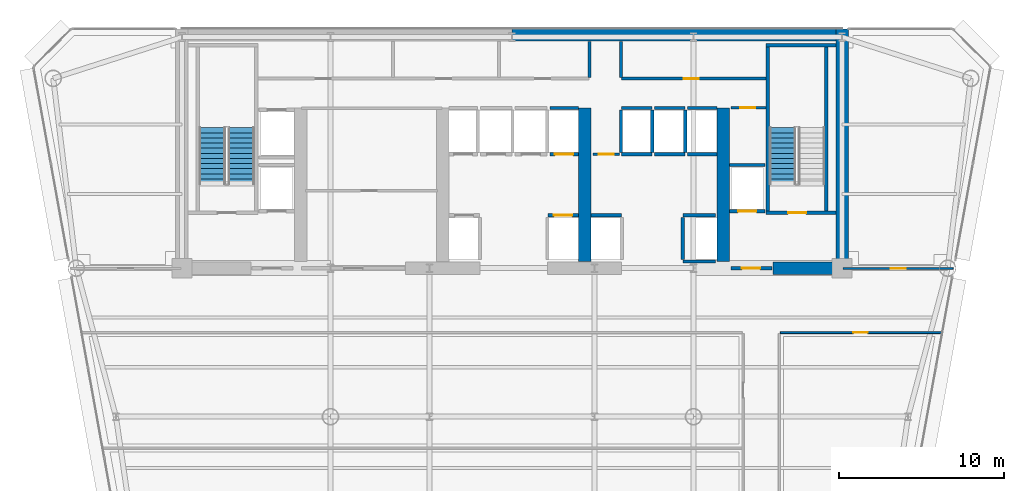
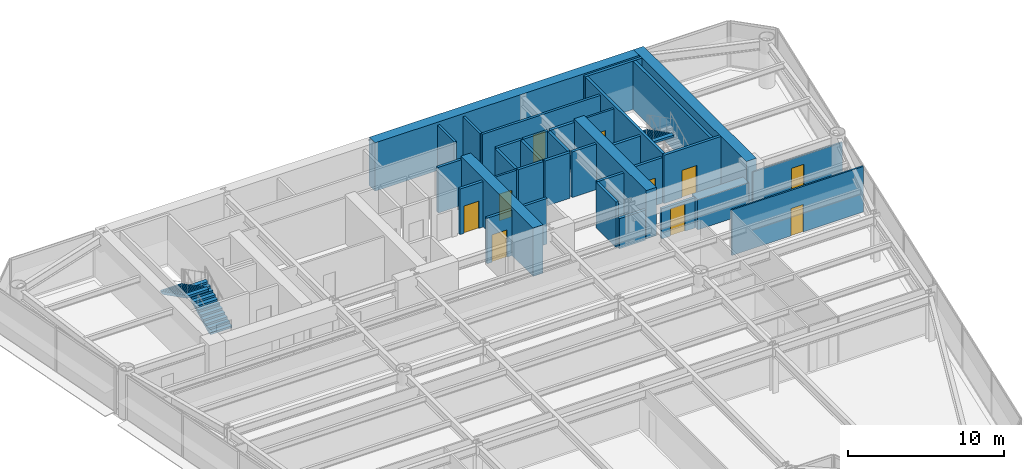
# One storey, part 9 of 14: 35 walls, 10 doors, 3 stair flights, 10 openings, 2 elements without a shape of their own.
"""IFC4 building model written with IfcOpenShell, lengths in metres."""

from ifc_helpers import new_model, si_unit, direction, frame, frame_2d, origin, place, context, subcontext, project, spatial, polyline, rectangle, outline, extrude, source, transform, mapped, material, layer, layer_set, type_object, element, fill, aggregate, save


model = new_model("IFC4")

# Units and contexts
model_context = context("Model", 3, precision=1e-05, world=origin(), true_north=direction((0.0, 1.0)))
body_context = subcontext(model_context, "Body", "Model", "MODEL_VIEW")
ifc_project = project(units=[si_unit("LENGTHUNIT", "METRE"), si_unit("AREAUNIT", "SQUARE_METRE"), si_unit("VOLUMEUNIT", "CUBIC_METRE"), si_unit("PLANEANGLEUNIT", "RADIAN"), si_unit("MASSUNIT", "GRAM", prefix="KILO")], contexts=[model_context])

# Site, building, storey
site_placement = place(None, origin())
site = spatial("IfcSite", under=ifc_project, at=site_placement, CompositionType="ELEMENT")
building_placement = place(site_placement, origin())
building = spatial("IfcBuilding", under=site, at=building_placement, Name="Vaeldorn Concourse Tower", CompositionType="ELEMENT")
storey_placement = place(building_placement, frame((0.0, 0.0, 133.800048828125)))
storey = spatial("IfcBuildingStorey", under=building, at=storey_placement, Name="L34", CompositionType="ELEMENT", Elevation=133.800048828125)

# Walls
ifc_material_1 = material(Name="Concrete C60/75", Category="concrete")
ifc_layer_1 = layer(ifc_material_1, 0.75)
ifc_layer_set_1 = layer_set([ifc_layer_1], Name="Concrete C60/75")
wall_type_1 = type_object("IfcWallType", Name="WL-CORE-750", PredefinedType="SHEAR", material=ifc_layer_set_1)
wall_1_placement = place(storey_placement, frame((34.001953125, 50.625, 0.0), z_axis=(0.0, 0.0, 1.0), x_axis=(1.0, 0.0, 0.0)))
element("IfcWall", 1, at=wall_1_placement, inside=storey, type_object=wall_type_1, Name="Rear Core Shear Wall L34 N2", PredefinedType="SHEAR", context=body_context, shape_type="SweptSolid", body=[
    extrude(rectangle(XDim=19.619140625, YDim=0.75, at=frame_2d((9.8095703125, 0.0))), origin(), (0.0, 0.0, 1.0), 3.800048828125),
])
wall_2_placement = place(storey_placement, frame((54.0, 36.5, 0.0), z_axis=(0.0, 0.0, 1.0), x_axis=(0.0, 1.0, 0.0)))
element("IfcWall", 2, at=wall_2_placement, inside=storey, type_object=wall_type_1, Name="Rear Core Shear Wall L34 E1", PredefinedType="SHEAR", context=body_context, shape_type="SweptSolid", body=[
    extrude(rectangle(XDim=14.5, YDim=0.75, at=frame_2d((7.25, 0.0))), origin(), (0.0, 0.0, 1.0), 3.800048828125),
])
wall_3_placement = place(storey_placement, frame((49.800048828125, 36.5, 0.0), z_axis=(0.0, 0.0, 1.0), x_axis=(1.0, 0.0, 0.0)))
element("IfcWall", 3, at=wall_3_placement, inside=storey, type_object=wall_type_1, Name="Rear Core Shear Wall L34 S4", PredefinedType="SHEAR", context=body_context, shape_type="SweptSolid", body=[
    extrude(rectangle(XDim=3.804931640625, YDim=0.75, at=frame_2d((1.90234375, 0.0))), origin(), (0.0, 0.0, 1.0), 2.3798828125),
])
for number, where, z_axis, x_axis, name in (
    (4, (38.39990234375, 36.89501953125, 0.0), (0.0, 0.0, 1.0), (0.0, 1.0, 0.0), "Rear Core Shear Wall L34 M3"),
    (5, (46.800048828125, 36.89501953125, 0.0), (0.0, 0.0, 1.0), (0.0, 1.0, 0.0), "Rear Core Shear Wall L34 M4"),
):
    element("IfcWall", number, at=place(storey_placement, frame(where, z_axis=z_axis, x_axis=x_axis)), inside=storey, type_object=wall_type_1, Name=name, PredefinedType="SHEAR", context=body_context, shape_type="SweptSolid", body=[
        extrude(rectangle(XDim=9.304931640625, YDim=0.75, at=frame_2d((4.65234375, 0.0))), origin(), (0.0, 0.0, 1.0), 3.800048828125),
    ])

# Wall, opening, door
ifc_material_2 = material(Name="Gypsum Board Partition", Category="gypsum")
ifc_layer_2 = layer(ifc_material_2, 0.1201171875)
ifc_layer_set_2 = layer_set([ifc_layer_2], Name="Gypsum Board Partition")
wall_type_2 = type_object("IfcWallType", Name="WL-PART-120", PredefinedType="PARTITIONING", material=ifc_layer_set_2)
wall_4_placement = place(storey_placement, frame((50.260009765625, 32.60009765625, 0.0), z_axis=(0.0, 0.0, 1.0), x_axis=(1.0, 0.0, 0.0)))
wall_4 = element("IfcWall", 6, at=wall_4_placement, inside=storey, type_object=wall_type_2, Name="Interior Wall PW-L34-C2SE", PredefinedType="PARTITIONING", context=body_context, shape_type="SweptSolid", body=[
    extrude(rectangle(XDim=9.77587890625, YDim=0.1201171875, at=frame_2d((4.887939453125, 0.0))), origin(), (0.0, 0.0, 1.0), 3.579833984375),
])
opening_1_placement = place(wall_4_placement, frame((4.407958984375, 0.0, 0.0)))
opening_1 = element("IfcOpeningElement", 7, at=opening_1_placement, cuts=wall_4, Name="Opening D-03", PredefinedType="OPENING", context=body_context, shape_type="SweptSolid", body=[
    extrude(rectangle(XDim=0.89990234375, YDim=2.14990234375, at=frame_2d((0.449951171875, 1.074951171875))), frame((0.0, 0.070068359375, 0.0), z_axis=(0.0, -1.0, 0.0), x_axis=(1.0, 0.0, 0.0)), (0.0, 0.0, 1.0), 0.14013671875),
])
ifc_material_3 = material(Name="Acoustic Bronze-Framed Glass Door", Category="glass")
door_type_1 = type_object("IfcDoorType", Name="DR-INT-900", OperationType="NOTDEFINED", PredefinedType="DOOR", material=ifc_material_3)
shared_shape_1 = source(origin(), body_context, "Body", "SweptSolid", [
    extrude(rectangle(XDim=0.89990234375, YDim=2.14990234375, at=frame_2d((0.449951171875, 1.074951171875))), frame((0.0, 0.02490234375, 0.0), z_axis=(0.0, -1.0, 0.0), x_axis=(1.0, 0.0, 0.0)), (0.0, 0.0, 1.0), 0.050048828125),
])
door_1_placement = place(opening_1_placement, origin())
door_1 = element("IfcDoor", 8, at=door_1_placement, inside=storey, type_object=door_type_1, Name="Interior Door DR-L34-Z2E1", OperationType="SINGLE_SWING_RIGHT", OverallHeight=2.14990234375, OverallWidth=0.89990234375, PredefinedType="DOOR", context=body_context, shape_type="MappedRepresentation", body=[
    mapped(shared_shape_1, transform((0.0, 0.0, 0.0), scale=1.0)),
])
fill(opening_1, door_1)

wall_5_placement = place(storey_placement, frame((54.06005859375, 36.47998046875, 0.0), z_axis=(0.0, 0.0, 1.0), x_axis=(1.0, 0.0, 0.0)))
wall_5 = element("IfcWall", 9, at=wall_5_placement, inside=storey, type_object=wall_type_2, Name="Interior Wall PW-L34-NES", PredefinedType="PARTITIONING", context=body_context, shape_type="SweptSolid", body=[
    extrude(rectangle(XDim=6.675048828125, YDim=0.1201171875, at=frame_2d((3.33740234375, 0.0))), origin(), (0.0, 0.0, 1.0), 2.869873046875),
])
opening_2_placement = place(wall_5_placement, frame((2.887939453125, 0.0, 0.0)))
opening_2 = element("IfcOpeningElement", 10, at=opening_2_placement, cuts=wall_5, Name="Opening D-03", PredefinedType="OPENING", context=body_context, shape_type="SweptSolid", body=[
    extrude(rectangle(XDim=0.89990234375, YDim=2.14990234375, at=frame_2d((0.449951171875, 1.074951171875))), frame((0.0, 0.070068359375, 0.0), z_axis=(0.0, -1.0, 0.0), x_axis=(1.0, 0.0, 0.0)), (0.0, 0.0, 1.0), 0.14013671875),
])
door_2_placement = place(opening_2_placement, origin())
door_2 = element("IfcDoor", 11, at=door_2_placement, inside=storey, type_object=door_type_1, Name="Interior Door DR-L34-NEC", OperationType="SINGLE_SWING_RIGHT", OverallHeight=2.14990234375, OverallWidth=0.89990234375, PredefinedType="DOOR", context=body_context, shape_type="MappedRepresentation", body=[
    mapped(shared_shape_1, transform((0.0, 0.0, 0.0), scale=1.0)),
])
fill(opening_2, door_2)

ifc_layer_3 = layer(ifc_material_2, 0.14990234375)
ifc_layer_set_3 = layer_set([ifc_layer_3], Name="Gypsum Board Partition")
wall_type_3 = type_object("IfcWallType", Name="WL-PART-150", PredefinedType="PARTITIONING", material=ifc_layer_set_3)
wall_6_placement = place(storey_placement, frame((47.280029296875, 46.219970703125, 0.0), z_axis=(0.0, 0.0, 1.0), x_axis=(1.0, 0.0, 0.0)))
wall_6 = element("IfcWall", 12, at=wall_6_placement, inside=storey, type_object=wall_type_3, Name="Interior Wall CW-L34-CRSE-N", PredefinedType="PARTITIONING", context=body_context, shape_type="SweptSolid", body=[
    extrude(rectangle(XDim=2.099853515625, YDim=0.14990234375, at=frame_2d((1.0498046875, 0.0))), origin(), (0.0, 0.0, 1.0), 3.579833984375),
])
opening_3_placement = place(wall_6_placement, frame((0.550048828125, 0.0, 0.0)))
opening_3 = element("IfcOpeningElement", 13, at=opening_3_placement, cuts=wall_6, Name="Opening D-02", PredefinedType="OPENING", context=body_context, shape_type="SweptSolid", body=[
    extrude(rectangle(XDim=0.89990234375, YDim=2.10009765625, at=frame_2d((0.449951171875, 1.050048828125))), frame((0.0, 0.0849609375, 0.0), z_axis=(0.0, -1.0, 0.0), x_axis=(1.0, 0.0, 0.0)), (0.0, 0.0, 1.0), 0.169921875),
])
ifc_material_4 = material(Name="Fire-Rated Timber Leaf", Category="wood")
door_type_2 = type_object("IfcDoorType", Name="DR-FD30-900", OperationType="NOTDEFINED", PredefinedType="DOOR", material=ifc_material_4)
shared_shape_2 = source(origin(), body_context, "Body", "SweptSolid", [
    extrude(rectangle(XDim=0.89990234375, YDim=2.10009765625, at=frame_2d((0.449951171875, 1.050048828125))), frame((0.0, 0.02490234375, 0.0), z_axis=(0.0, -1.0, 0.0), x_axis=(1.0, 0.0, 0.0)), (0.0, 0.0, 1.0), 0.050048828125),
])
door_3_placement = place(opening_3_placement, origin())
door_3 = element("IfcDoor", 14, at=door_3_placement, inside=storey, type_object=door_type_2, Name="Interior Door DR-L34-CRSE", OperationType="SINGLE_SWING_RIGHT", OverallHeight=2.10009765625, OverallWidth=0.89990234375, PredefinedType="DOOR", context=body_context, shape_type="MappedRepresentation", body=[
    mapped(shared_shape_2, transform((0.0, 0.0, 0.0), scale=1.0)),
])
fill(opening_3, door_3)

wall_7_placement = place(storey_placement, frame((38.919921875, 43.39990234375, 0.0), z_axis=(0.0, 0.0, 1.0), x_axis=(1.0, 0.0, 0.0)))
wall_7 = element("IfcWall", 15, at=wall_7_placement, inside=storey, type_object=wall_type_3, Name="Interior Wall CW-L34-CCLINK", PredefinedType="PARTITIONING", context=body_context, shape_type="SweptSolid", body=[
    extrude(rectangle(XDim=1.60009765625, YDim=0.14990234375, at=frame_2d((0.800048828125, 0.0))), origin(), (0.0, 0.0, 1.0), 3.579833984375),
])
opening_4_placement = place(wall_7_placement, frame((0.35009765625, 0.0, 0.0)))
opening_4 = element("IfcOpeningElement", 16, at=opening_4_placement, cuts=wall_7, Name="Opening D-02", PredefinedType="OPENING", context=body_context, shape_type="SweptSolid", body=[
    extrude(rectangle(XDim=0.89990234375, YDim=2.10009765625, at=frame_2d((0.449951171875, 1.050048828125))), frame((0.0, 0.0849609375, 0.0), z_axis=(0.0, -1.0, 0.0), x_axis=(1.0, 0.0, 0.0)), (0.0, 0.0, 1.0), 0.169921875),
])
door_4_placement = place(opening_4_placement, origin())
door_4 = element("IfcDoor", 17, at=door_4_placement, inside=storey, type_object=door_type_2, Name="Interior Door DR-L34-CCLINK", OperationType="SINGLE_SWING_LEFT", OverallHeight=2.10009765625, OverallWidth=0.89990234375, PredefinedType="DOOR", context=body_context, shape_type="MappedRepresentation", body=[
    mapped(shared_shape_2, transform((0.0, 0.0, 0.0), scale=1.0)),
])
fill(opening_4, door_4)

ifc_layer_4 = layer(ifc_material_2, 0.179931640625)
ifc_layer_set_4 = layer_set([ifc_layer_4], Name="Gypsum Board Partition")
wall_type_4 = type_object("IfcWallType", Name="WL-PLUMB-180", PredefinedType="PLUMBINGWALL", material=ifc_layer_set_4)
wall_8_placement = place(storey_placement, frame((40.6201171875, 47.97998046875, 0.0), z_axis=(0.0, 0.0, 1.0), x_axis=(1.0, 0.0, 0.0)))
wall_8 = element("IfcWall", 18, at=wall_8_placement, inside=storey, type_object=wall_type_4, Name="Interior Wall CW-L34-NS1E", PredefinedType="PLUMBINGWALL", context=body_context, shape_type="SweptSolid", body=[
    extrude(rectangle(XDim=8.759765625, YDim=0.179931640625, at=frame_2d((4.3798828125, 0.0))), origin(), (0.0, 0.0, 1.0), 3.579833984375),
])
opening_5_placement = place(wall_8_placement, frame((3.800048828125, 0.0, 0.0)))
opening_5 = element("IfcOpeningElement", 19, at=opening_5_placement, cuts=wall_8, Name="Opening D-03", PredefinedType="OPENING", context=body_context, shape_type="SweptSolid", body=[
    extrude(rectangle(XDim=0.89990234375, YDim=2.14990234375, at=frame_2d((0.449951171875, 1.074951171875))), frame((0.0, 0.10009765625, 0.0), z_axis=(0.0, -1.0, 0.0), x_axis=(1.0, 0.0, 0.0)), (0.0, 0.0, 1.0), 0.199951171875),
])
door_5_placement = place(opening_5_placement, origin())
door_5 = element("IfcDoor", 20, at=door_5_placement, inside=storey, type_object=door_type_1, Name="Interior Door DR-L34-CS4", OperationType="SINGLE_SWING_RIGHT", OverallHeight=2.14990234375, OverallWidth=0.89990234375, PredefinedType="DOOR", context=body_context, shape_type="MappedRepresentation", body=[
    mapped(shared_shape_1, transform((0.0, 0.0, 0.0), scale=1.0)),
])
fill(opening_5, door_5)

# Walls
for number, where, z_axis, x_axis, name in (
    (21, (38.699951171875, 48.06005859375, 0.0), (0.0, 0.0, 1.0), (0.0, 1.0, 0.0), "Interior Wall CW-L34-NDIV3"),
    (22, (40.60009765625, 48.06005859375, 0.0), (0.0, 0.0, 1.0), (0.0, 1.0, 0.0), "Interior Wall CW-L34-NDIV4"),
):
    element("IfcWall", number, at=place(storey_placement, frame(where, z_axis=z_axis, x_axis=x_axis)), inside=storey, type_object=wall_type_4, Name=name, PredefinedType="PLUMBINGWALL", context=body_context, shape_type="SweptSolid", body=[
        extrude(rectangle(XDim=2.169921875, YDim=0.179931640625, at=frame_2d((1.0849609375, 0.0))), origin(), (0.0, 0.0, 1.0), 3.579833984375),
    ])

# Wall, opening, door
ifc_material_5 = material(Name="Concrete C50/60", Category="concrete")
ifc_layer_5 = layer(ifc_material_5, 0.199951171875)
ifc_layer_set_5 = layer_set([ifc_layer_5], Name="Concrete C50/60")
wall_type_5 = type_object("IfcWallType", Name="WL-SHAFT-200", PredefinedType="SOLIDWALL", material=ifc_layer_set_5)
wall_9_placement = place(storey_placement, frame((49.39990234375, 39.85009765625, 0.0), z_axis=(0.0, 0.0, 1.0), x_axis=(1.0, 0.0, 0.0)))
wall_9 = element("IfcWall", 23, at=wall_9_placement, inside=storey, type_object=wall_type_5, Name="Stair Shaft Wall CW-L34-ST-2-S", PredefinedType="SOLIDWALL", context=body_context, shape_type="SweptSolid", body=[
    extrude(rectangle(XDim=4.22509765625, YDim=0.199951171875, at=frame_2d((2.112548828125, 0.0))), origin(), (0.0, 0.0, 1.0), 3.800048828125),
])
opening_6_placement = place(wall_9_placement, frame((1.324951171875, 0.0, 0.0)))
opening_6 = element("IfcOpeningElement", 24, at=opening_6_placement, cuts=wall_9, Name="Opening D-01", PredefinedType="OPENING", context=body_context, shape_type="SweptSolid", body=[
    extrude(rectangle(XDim=1.10009765625, YDim=2.14990234375, at=frame_2d((0.550048828125, 1.074951171875))), frame((0.0, 0.10986328125, 0.0), z_axis=(0.0, -1.0, 0.0), x_axis=(1.0, 0.0, 0.0)), (0.0, 0.0, 1.0), 0.219970703125),
])
ifc_material_6 = material(Name="Fire-Rated Timber and Steel Leaf", Category="steel")
door_type_3 = type_object("IfcDoorType", Name="DR-FD60-1100", OperationType="NOTDEFINED", PredefinedType="DOOR", material=ifc_material_6)
shared_shape_3 = source(origin(), body_context, "Body", "SweptSolid", [
    extrude(rectangle(XDim=1.10009765625, YDim=2.14990234375, at=frame_2d((0.550048828125, 1.074951171875))), frame((0.0, 0.02490234375, 0.0), z_axis=(0.0, -1.0, 0.0), x_axis=(1.0, 0.0, 0.0)), (0.0, 0.0, 1.0), 0.050048828125),
])
door_6_placement = place(opening_6_placement, origin())
door_6 = element("IfcDoor", 25, at=door_6_placement, inside=storey, type_object=door_type_3, Name="Interior Door DR-L34-ST-2", OperationType="SINGLE_SWING_RIGHT", OverallHeight=2.14990234375, OverallWidth=1.10009765625, PredefinedType="DOOR", context=body_context, shape_type="MappedRepresentation", body=[
    mapped(shared_shape_3, transform((0.0, 0.0, 0.0), scale=1.0)),
])
fill(opening_6, door_6)

# Walls
wall_10_placement = place(storey_placement, frame((49.39990234375, 50.0, 0.0), z_axis=(0.0, 0.0, 1.0), x_axis=(1.0, 0.0, 0.0)))
element("IfcWall", 26, at=wall_10_placement, inside=storey, type_object=wall_type_5, Name="Stair Shaft Wall CW-L34-ST-2-N", PredefinedType="SOLIDWALL", context=body_context, shape_type="SweptSolid", body=[
    extrude(rectangle(XDim=4.22509765625, YDim=0.199951171875, at=frame_2d((2.112548828125, 0.0))), origin(), (0.0, 0.0, 1.0), 3.800048828125),
])
for number, where, z_axis, x_axis, name in (
    (27, (49.5, 39.9599609375, 0.0), (0.0, 0.0, 1.0), (0.0, 1.0, 0.0), "Stair Shaft Wall CW-L34-ST-2-W"),
    (28, (53.050048828125, 39.9599609375, 0.0), (0.0, 0.0, 1.0), (0.0, 1.0, 0.0), "Stair Shaft Wall CW-L34-ST-2-E"),
):
    element("IfcWall", number, at=place(storey_placement, frame(where, z_axis=z_axis, x_axis=x_axis)), inside=storey, type_object=wall_type_5, Name=name, PredefinedType="SOLIDWALL", context=body_context, shape_type="SweptSolid", body=[
        extrude(rectangle(XDim=9.929931640625, YDim=0.199951171875, at=frame_2d((4.96484375, 0.0))), origin(), (0.0, 0.0, 1.0), 3.800048828125),
    ])

# Wall, opening, door
wall_11_placement = place(storey_placement, frame((47.280029296875, 36.5, 0.0), z_axis=(0.0, 0.0, 1.0), x_axis=(1.0, 0.0, 0.0)))
wall_11 = element("IfcWall", 29, at=wall_11_placement, inside=storey, type_object=wall_type_5, Name="Interior Wall CW-L34-FF2S", PredefinedType="SOLIDWALL", context=body_context, shape_type="SweptSolid", body=[
    extrude(rectangle(XDim=2.469970703125, YDim=0.199951171875, at=frame_2d((1.23486328125, 0.0))), origin(), (0.0, 0.0, 1.0), 2.369873046875),
])
opening_7_placement = place(wall_11_placement, frame((0.64990234375, 0.0, 0.0)))
opening_7 = element("IfcOpeningElement", 30, at=opening_7_placement, cuts=wall_11, Name="Opening D-01", PredefinedType="OPENING", context=body_context, shape_type="SweptSolid", body=[
    extrude(rectangle(XDim=1.10009765625, YDim=2.14990234375, at=frame_2d((0.550048828125, 1.074951171875))), frame((0.0, 0.10986328125, 0.0), z_axis=(0.0, -1.0, 0.0), x_axis=(1.0, 0.0, 0.0)), (0.0, 0.0, 1.0), 0.219970703125),
])
door_7_placement = place(opening_7_placement, origin())
door_7 = element("IfcDoor", 31, at=door_7_placement, inside=storey, type_object=door_type_3, Name="Interior Door DR-L34-FF2W", OperationType="SINGLE_SWING_LEFT", OverallHeight=2.14990234375, OverallWidth=1.10009765625, PredefinedType="DOOR", context=body_context, shape_type="MappedRepresentation", body=[
    mapped(shared_shape_3, transform((0.0, 0.0, 0.0), scale=1.0)),
])
fill(opening_7, door_7)

wall_12_placement = place(storey_placement, frame((36.169921875, 39.699951171875, 0.0), z_axis=(0.0, 0.0, 1.0), x_axis=(1.0, 0.0, 0.0)))
wall_12 = element("IfcWall", 32, at=wall_12_placement, inside=storey, type_object=wall_type_5, Name="Interior Wall CW-L34-LF-LF-08", PredefinedType="SOLIDWALL", context=body_context, shape_type="SweptSolid", body=[
    extrude(rectangle(XDim=1.844970703125, YDim=0.199951171875, at=frame_2d((0.92236328125, 0.0))), origin(), (0.0, 0.0, 1.0), 3.579833984375),
])
opening_8_placement = place(wall_12_placement, frame((0.3720703125, 0.0, 0.0)))
opening_8 = element("IfcOpeningElement", 33, at=opening_8_placement, cuts=wall_12, Name="Opening LD-1", PredefinedType="OPENING", context=body_context, shape_type="SweptSolid", body=[
    extrude(rectangle(XDim=1.10009765625, YDim=2.14990234375, at=frame_2d((0.550048828125, 1.074951171875))), frame((0.0, 0.10986328125, 0.0), z_axis=(0.0, -1.0, 0.0), x_axis=(1.0, 0.0, 0.0)), (0.0, 0.0, 1.0), 0.219970703125),
])
ifc_material_7 = material(Name="Anodised Bronze Aluminium", Category="aluminium")
door_type_4 = type_object("IfcDoorType", Name="DR-LIFT-SLIDE-1100", OperationType="DOUBLE_DOOR_SLIDING", PredefinedType="DOOR", material=ifc_material_7)
door_8_placement = place(opening_8_placement, origin())
door_8 = element("IfcDoor", 34, at=door_8_placement, inside=storey, type_object=door_type_4, Name="Lift Landing Door LD-L34-LF-08", OperationType="DOUBLE_DOOR_SLIDING", OverallHeight=2.14990234375, OverallWidth=1.10009765625, PredefinedType="DOOR", context=body_context, shape_type="MappedRepresentation", body=[
    mapped(shared_shape_3, transform((0.0, 0.0, 0.0), scale=1.0)),
])
fill(opening_8, door_8)

wall_13_placement = place(storey_placement, frame((36.2900390625, 43.39990234375, 0.0), z_axis=(0.0, 0.0, 1.0), x_axis=(1.0, 0.0, 0.0)))
wall_13 = element("IfcWall", 35, at=wall_13_placement, inside=storey, type_object=wall_type_5, Name="Interior Wall CW-L34-LF-LF-12", PredefinedType="SOLIDWALL", context=body_context, shape_type="SweptSolid", body=[
    extrude(rectangle(XDim=1.724853515625, YDim=0.199951171875, at=frame_2d((0.8623046875, 0.0))), origin(), (0.0, 0.0, 1.0), 3.579833984375),
])
opening_9_placement = place(wall_13_placement, frame((0.31298828125, 0.0, 0.0)))
opening_9 = element("IfcOpeningElement", 36, at=opening_9_placement, cuts=wall_13, Name="Opening LD-1", PredefinedType="OPENING", context=body_context, shape_type="SweptSolid", body=[
    extrude(rectangle(XDim=1.10009765625, YDim=2.14990234375, at=frame_2d((0.550048828125, 1.074951171875))), frame((0.0, 0.10986328125, 0.0), z_axis=(0.0, -1.0, 0.0), x_axis=(1.0, 0.0, 0.0)), (0.0, 0.0, 1.0), 0.219970703125),
])
door_9_placement = place(opening_9_placement, origin())
door_9 = element("IfcDoor", 37, at=door_9_placement, inside=storey, type_object=door_type_4, Name="Lift Landing Door LD-L34-LF-12", OperationType="DOUBLE_DOOR_SLIDING", OverallHeight=2.14990234375, OverallWidth=1.10009765625, PredefinedType="DOOR", context=body_context, shape_type="MappedRepresentation", body=[
    mapped(shared_shape_3, transform((0.0, 0.0, 0.0), scale=1.0)),
])
fill(opening_9, door_9)

# Walls
wall_14_placement = place(storey_placement, frame((36.2900390625, 46.199951171875, 0.0), z_axis=(0.0, 0.0, 1.0), x_axis=(1.0, 0.0, 0.0)))
element("IfcWall", 38, at=wall_14_placement, inside=storey, type_object=wall_type_5, Name="Interior Wall CW-L34-LFB-LF-12", PredefinedType="SOLIDWALL", context=body_context, shape_type="SweptSolid", body=[
    extrude(rectangle(XDim=1.724853515625, YDim=0.199951171875, at=frame_2d((0.8623046875, 0.0))), origin(), (0.0, 0.0, 1.0), 3.579833984375),
])
wall_15_placement = place(storey_placement, frame((38.784912109375, 39.699951171875, 0.0), z_axis=(0.0, 0.0, 1.0), x_axis=(1.0, 0.0, 0.0)))
element("IfcWall", 39, at=wall_15_placement, inside=storey, type_object=wall_type_5, Name="Interior Wall CW-L34-LF-LF-13", PredefinedType="SOLIDWALL", context=body_context, shape_type="SweptSolid", body=[
    extrude(rectangle(XDim=1.844970703125, YDim=0.199951171875, at=frame_2d((0.92236328125, 0.0))), origin(), (0.0, 0.0, 1.0), 3.579833984375),
])
wall_16_placement = place(storey_placement, frame((44.3701171875, 39.699951171875, 0.0), z_axis=(0.0, 0.0, 1.0), x_axis=(1.0, 0.0, 0.0)))
element("IfcWall", 40, at=wall_16_placement, inside=storey, type_object=wall_type_5, Name="Interior Wall CW-L34-LF-LF-14", PredefinedType="SOLIDWALL", context=body_context, shape_type="SweptSolid", body=[
    extrude(rectangle(XDim=1.9599609375, YDim=0.199951171875, at=frame_2d((0.97998046875, 0.0))), origin(), (0.0, 0.0, 1.0), 3.579833984375),
])
wall_17_placement = place(storey_placement, frame((44.3701171875, 36.89990234375, 0.0), z_axis=(0.0, 0.0, 1.0), x_axis=(1.0, 0.0, 0.0)))
element("IfcWall", 41, at=wall_17_placement, inside=storey, type_object=wall_type_5, Name="Interior Wall CW-L34-LFB-LF-14", PredefinedType="SOLIDWALL", context=body_context, shape_type="SweptSolid", body=[
    extrude(rectangle(XDim=1.9599609375, YDim=0.199951171875, at=frame_2d((0.97998046875, 0.0))), origin(), (0.0, 0.0, 1.0), 2.369873046875),
])
wall_18_placement = place(storey_placement, frame((44.35009765625, 37.02001953125, 0.0), z_axis=(0.0, 0.0, 1.0), x_axis=(0.0, 1.0, 0.0)))
element("IfcWall", 42, at=wall_18_placement, inside=storey, type_object=wall_type_5, Name="Interior Wall CW-L34-LFW-LF-14", PredefinedType="SOLIDWALL", context=body_context, shape_type="SweptSolid", body=[
    extrude(rectangle(XDim=2.56005859375, YDim=0.199951171875, at=frame_2d((1.280029296875, 0.0))), origin(), (0.0, 0.0, 1.0), 3.579833984375),
])
for number, where, z_axis, x_axis, name in (
    (43, (40.6201171875, 43.39990234375, 0.0), (0.0, 0.0, 1.0), (1.0, 0.0, 0.0), "Interior Wall CW-L34-LF-LF-15"),
    (44, (40.6201171875, 46.199951171875, 0.0), (0.0, 0.0, 1.0), (1.0, 0.0, 0.0), "Interior Wall CW-L34-LFB-LF-15"),
):
    element("IfcWall", number, at=place(storey_placement, frame(where, z_axis=z_axis, x_axis=x_axis)), inside=storey, type_object=wall_type_5, Name=name, PredefinedType="SOLIDWALL", context=body_context, shape_type="SweptSolid", body=[
        extrude(rectangle(XDim=1.85986328125, YDim=0.199951171875, at=frame_2d((0.929931640625, 0.0))), origin(), (0.0, 0.0, 1.0), 3.579833984375),
    ])
for number, where, z_axis, x_axis, name in (
    (45, (40.60009765625, 43.52001953125, 0.0), (0.0, 0.0, 1.0), (0.0, 1.0, 0.0), "Interior Wall CW-L34-LFW-LF-15"),
    (46, (42.5, 43.52001953125, 0.0), (0.0, 0.0, 1.0), (0.0, 1.0, 0.0), "Interior Wall CW-L34-LFE-LF-15"),
):
    element("IfcWall", number, at=place(storey_placement, frame(where, z_axis=z_axis, x_axis=x_axis)), inside=storey, type_object=wall_type_5, Name=name, PredefinedType="SOLIDWALL", context=body_context, shape_type="SweptSolid", body=[
        extrude(rectangle(XDim=2.56005859375, YDim=0.199951171875, at=frame_2d((1.280029296875, 0.0))), origin(), (0.0, 0.0, 1.0), 3.579833984375),
    ])
for number, where, z_axis, x_axis, name in (
    (47, (42.6201171875, 43.39990234375, 0.0), (0.0, 0.0, 1.0), (1.0, 0.0, 0.0), "Interior Wall CW-L34-LF-LF-16"),
    (48, (42.6201171875, 46.199951171875, 0.0), (0.0, 0.0, 1.0), (1.0, 0.0, 0.0), "Interior Wall CW-L34-LFB-LF-16"),
):
    element("IfcWall", number, at=place(storey_placement, frame(where, z_axis=z_axis, x_axis=x_axis)), inside=storey, type_object=wall_type_5, Name=name, PredefinedType="SOLIDWALL", context=body_context, shape_type="SweptSolid", body=[
        extrude(rectangle(XDim=1.85986328125, YDim=0.199951171875, at=frame_2d((0.929931640625, 0.0))), origin(), (0.0, 0.0, 1.0), 3.579833984375),
    ])
wall_19_placement = place(storey_placement, frame((44.5, 43.52001953125, 0.0), z_axis=(0.0, 0.0, 1.0), x_axis=(0.0, 1.0, 0.0)))
element("IfcWall", 49, at=wall_19_placement, inside=storey, type_object=wall_type_5, Name="Interior Wall CW-L34-LFE-LF-16", PredefinedType="SOLIDWALL", context=body_context, shape_type="SweptSolid", body=[
    extrude(rectangle(XDim=2.56005859375, YDim=0.199951171875, at=frame_2d((1.280029296875, 0.0))), origin(), (0.0, 0.0, 1.0), 3.579833984375),
])
for number, where, z_axis, x_axis, name in (
    (50, (44.6201171875, 43.39990234375, 0.0), (0.0, 0.0, 1.0), (1.0, 0.0, 0.0), "Interior Wall CW-L34-LF-LF-17"),
    (51, (44.6201171875, 46.199951171875, 0.0), (0.0, 0.0, 1.0), (1.0, 0.0, 0.0), "Interior Wall CW-L34-LFB-LF-17"),
):
    element("IfcWall", number, at=place(storey_placement, frame(where, z_axis=z_axis, x_axis=x_axis)), inside=storey, type_object=wall_type_5, Name=name, PredefinedType="SOLIDWALL", context=body_context, shape_type="SweptSolid", body=[
        extrude(rectangle(XDim=1.794921875, YDim=0.199951171875, at=frame_2d((0.8974609375, 0.0))), origin(), (0.0, 0.0, 1.0), 3.579833984375),
    ])

# Wall, opening, door
wall_20_placement = place(storey_placement, frame((47.18505859375, 39.949951171875, 0.0), z_axis=(0.0, 0.0, 1.0), x_axis=(1.0, 0.0, 0.0)))
wall_20 = element("IfcWall", 52, at=wall_20_placement, inside=storey, type_object=wall_type_5, Name="Interior Wall CW-L34-LF-LF-FF2", PredefinedType="SOLIDWALL", context=body_context, shape_type="SweptSolid", body=[
    extrude(rectangle(XDim=2.14501953125, YDim=0.199951171875, at=frame_2d((1.072509765625, 0.0))), origin(), (0.0, 0.0, 1.0), 3.579833984375),
])
opening_10_placement = place(wall_20_placement, frame((0.52197265625, 0.0, 0.0)))
opening_10 = element("IfcOpeningElement", 53, at=opening_10_placement, cuts=wall_20, Name="Opening LD-1", PredefinedType="OPENING", context=body_context, shape_type="SweptSolid", body=[
    extrude(rectangle(XDim=1.10009765625, YDim=2.14990234375, at=frame_2d((0.550048828125, 1.074951171875))), frame((0.0, 0.10986328125, 0.0), z_axis=(0.0, -1.0, 0.0), x_axis=(1.0, 0.0, 0.0)), (0.0, 0.0, 1.0), 0.219970703125),
])
door_10_placement = place(opening_10_placement, origin())
door_10 = element("IfcDoor", 54, at=door_10_placement, inside=storey, type_object=door_type_4, Name="Lift Landing Door LD-L34-LF-FF2", OperationType="DOUBLE_DOOR_SLIDING", OverallHeight=2.14990234375, OverallWidth=1.10009765625, PredefinedType="DOOR", context=body_context, shape_type="MappedRepresentation", body=[
    mapped(shared_shape_3, transform((0.0, 0.0, 0.0), scale=1.0)),
])
fill(opening_10, door_10)

# Wall
wall_21_placement = place(storey_placement, frame((47.18505859375, 42.75, 0.0), z_axis=(0.0, 0.0, 1.0), x_axis=(1.0, 0.0, 0.0)))
element("IfcWall", 55, at=wall_21_placement, inside=storey, type_object=wall_type_5, Name="Interior Wall CW-L34-LFB-LF-FF2", PredefinedType="SOLIDWALL", context=body_context, shape_type="SweptSolid", body=[
    extrude(rectangle(XDim=2.14501953125, YDim=0.199951171875, at=frame_2d((1.072509765625, 0.0))), origin(), (0.0, 0.0, 1.0), 3.579833984375),
])

# Stair, stair flights
ifc_material_8 = material(Name="Precast concrete C40/50", Category="concrete")
stair_type = type_object("IfcStairType", Name="STR-DOG-24x158", PredefinedType="HALF_TURN_STAIR", material=ifc_material_8)
stair_1_placement = place(storey_placement, origin())
stair_1 = element("IfcStair", 56, at=stair_1_placement, inside=storey, type_object=stair_type, Name="L34 West Core Exit Stair ST-1", PredefinedType="HALF_TURN_STAIR")
stair_flight_type = type_object("IfcStairFlightType", Name="STF-STR-12x158", PredefinedType="STRAIGHT", material=ifc_material_8)
stair_flight_1_placement = place(storey_placement, frame((17.60009765625, 41.60009765625, 0.0), z_axis=(0.0, 0.0, 1.0), x_axis=(0.0, 1.0, 0.0)))
stair_flight_1 = element("IfcStairFlight", 57, at=stair_flight_1_placement, type_object=stair_flight_type, Name="ST-1 flight 1", NumberOfRisers=12, NumberOfTreads=11, PredefinedType="STRAIGHT", RiserHeight=0.158333333, TreadLength=0.31, context=body_context, shape_type="SweptSolid", body=[
    extrude(outline(polyline([(0.0, 0.0), (0.0, 0.158447265625), (0.31005859375, 0.158447265625), (0.31005859375, 0.316650390625), (0.6201171875, 0.316650390625), (0.6201171875, 0.47509765625), (0.929931640625, 0.47509765625), (0.929931640625, 0.63330078125), (1.239990234375, 0.63330078125), (1.239990234375, 0.791748046875), (1.550048828125, 0.791748046875), (1.550048828125, 0.949951171875), (1.860107421875, 0.949951171875), (1.860107421875, 1.1083984375), (2.169921875, 1.1083984375), (2.169921875, 1.2666015625), (2.47998046875, 1.2666015625), (2.47998046875, 1.425048828125), (2.7900390625, 1.425048828125), (2.7900390625, 1.583251953125), (3.10009765625, 1.583251953125), (3.10009765625, 1.74169921875), (3.409912109375, 1.74169921875), (3.409912109375, 1.89990234375), (3.409912109375, 1.5732421875), (0.32958984375, 0.0), (0.0, 0.0)])), frame((0.0, 0.800048828125, 0.0), z_axis=(0.0, -1.0, 0.0), x_axis=(1.0, 0.0, 0.0)), (0.0, 0.0, 1.0), 1.60009765625),
])
stair_flight_2_placement = place(storey_placement, frame((15.85009765625, 45.010009765625, 1.89990234375), z_axis=(0.0, 0.0, 1.0), x_axis=(0.0, -1.0, 0.0)))
stair_flight_2 = element("IfcStairFlight", 58, at=stair_flight_2_placement, type_object=stair_flight_type, Name="ST-1 flight 2", NumberOfRisers=12, NumberOfTreads=11, PredefinedType="STRAIGHT", RiserHeight=0.158333333, TreadLength=0.31, context=body_context, shape_type="SweptSolid", body=[
    extrude(outline(polyline([(0.0, 0.0), (0.0, 0.158447265625), (0.31005859375, 0.158447265625), (0.31005859375, 0.316650390625), (0.6201171875, 0.316650390625), (0.6201171875, 0.47509765625), (0.929931640625, 0.47509765625), (0.929931640625, 0.63330078125), (1.239990234375, 0.63330078125), (1.239990234375, 0.791748046875), (1.550048828125, 0.791748046875), (1.550048828125, 0.949951171875), (1.860107421875, 0.949951171875), (1.860107421875, 1.1083984375), (2.169921875, 1.1083984375), (2.169921875, 1.2666015625), (2.47998046875, 1.2666015625), (2.47998046875, 1.425048828125), (2.7900390625, 1.425048828125), (2.7900390625, 1.583251953125), (3.10009765625, 1.583251953125), (3.10009765625, 1.74169921875), (3.409912109375, 1.74169921875), (3.409912109375, 1.89990234375), (3.409912109375, 1.5732421875), (0.32958984375, 0.0), (0.0, 0.0)])), frame((0.0, 0.800048828125, 0.0), z_axis=(0.0, -1.0, 0.0), x_axis=(1.0, 0.0, 0.0)), (0.0, 0.0, 1.0), 1.60009765625),
])
aggregate(stair_1, [stair_flight_1, stair_flight_2])

# Stair, stair flight
stair_2_placement = place(storey_placement, origin())
stair_2 = element("IfcStair", 59, at=stair_2_placement, inside=storey, type_object=stair_type, Name="L34 East Core Exit Stair ST-2", PredefinedType="HALF_TURN_STAIR")
stair_flight_3_placement = place(storey_placement, frame((50.39990234375, 45.010009765625, 1.89990234375), z_axis=(0.0, 0.0, 1.0), x_axis=(0.0, -1.0, 0.0)))
stair_flight_3 = element("IfcStairFlight", 60, at=stair_flight_3_placement, type_object=stair_flight_type, Name="ST-2 flight 2", NumberOfRisers=12, NumberOfTreads=11, PredefinedType="STRAIGHT", RiserHeight=0.158333333, TreadLength=0.31, context=body_context, shape_type="SweptSolid", body=[
    extrude(outline(polyline([(0.0, 0.0), (0.0, 0.158447265625), (0.31005859375, 0.158447265625), (0.31005859375, 0.316650390625), (0.6201171875, 0.316650390625), (0.6201171875, 0.47509765625), (0.929931640625, 0.47509765625), (0.929931640625, 0.63330078125), (1.239990234375, 0.63330078125), (1.239990234375, 0.791748046875), (1.550048828125, 0.791748046875), (1.550048828125, 0.949951171875), (1.860107421875, 0.949951171875), (1.860107421875, 1.1083984375), (2.169921875, 1.1083984375), (2.169921875, 1.2666015625), (2.47998046875, 1.2666015625), (2.47998046875, 1.425048828125), (2.7900390625, 1.425048828125), (2.7900390625, 1.583251953125), (3.10009765625, 1.583251953125), (3.10009765625, 1.74169921875), (3.409912109375, 1.74169921875), (3.409912109375, 1.89990234375), (3.409912109375, 1.5732421875), (0.32958984375, 0.0), (0.0, 0.0)])), frame((0.0, 0.800048828125, 0.0), z_axis=(0.0, -1.0, 0.0), x_axis=(1.0, 0.0, 0.0)), (0.0, 0.0, 1.0), 1.60009765625),
])
aggregate(stair_2, [stair_flight_3])

save(model, "model.ifc")
